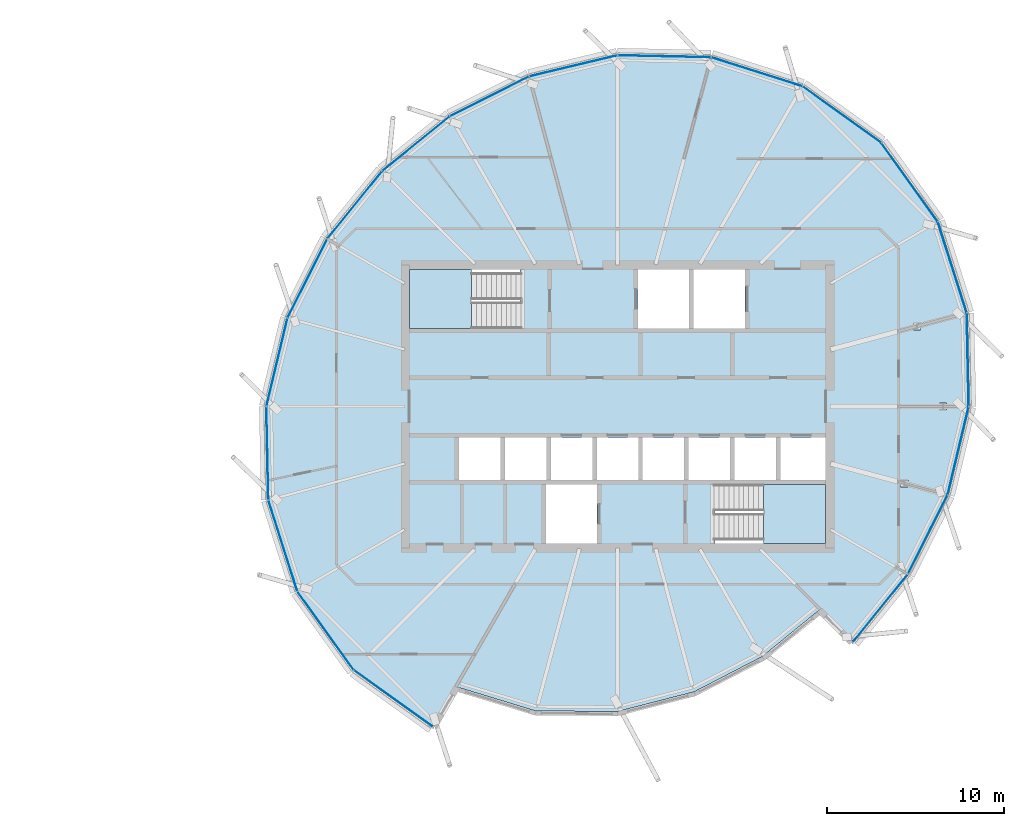
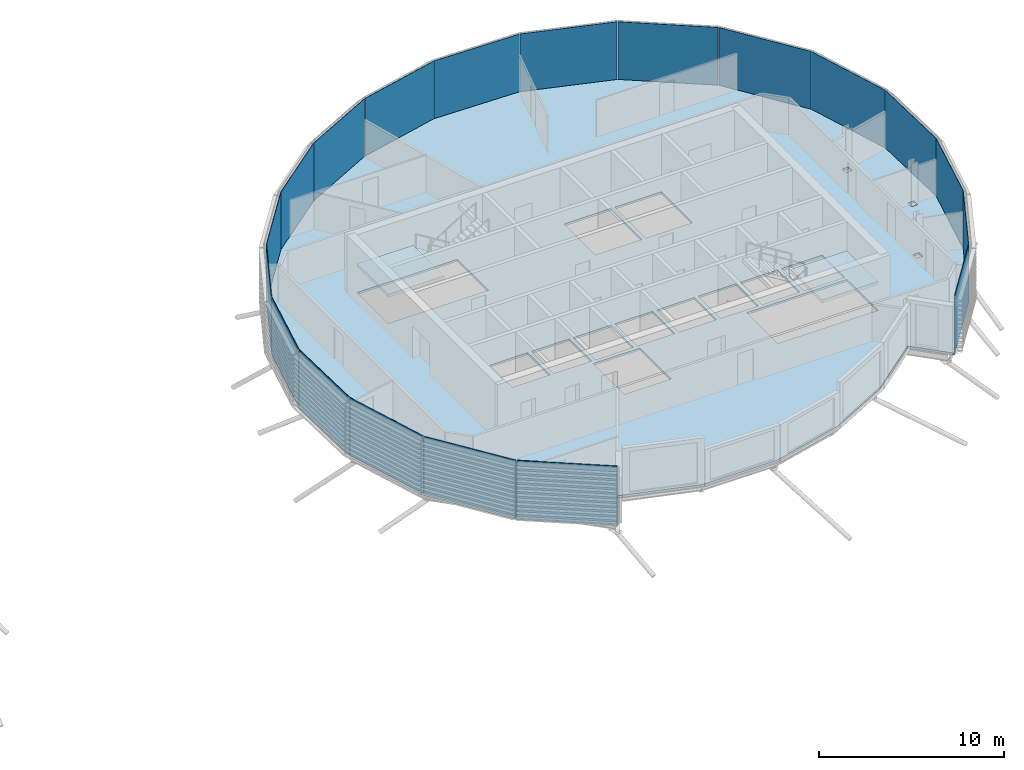
# One storey, part 16 of 38: 19 plates, 3 slabs, 3 elements without a shape of their own.
"""IFC4 building model written with IfcOpenShell, lengths in metres."""

import ifcopenshell
import ifcopenshell.guid

model = None  # the IFC model being written
_history = None  # IfcOwnerHistory: only IFC2X3 demands one
_inside = {}  # id of a spatial element -> (the spatial element, [elements in it])
_under = {}  # id of a project, library or spatial element -> (it, [spatial elements below it])
_declared = {}  # id of a project -> (the project, [libraries it declares])
_typed = {}  # id of a type object -> (the type object, [elements of that type])
_made_of = {}  # id of a material, layer set ... -> (it, [elements and type objects made of it])


def new_model(schema):
    """Start an empty IFC model of exactly this schema.

    Asked for "IFC4X3", IfcOpenShell would pick the latest addendum, in which some entities
    have other attributes; the version numbers below select the first issue.
    IFC2X3 requires an IfcOwnerHistory on every rooted entity: one is made here for all.
    """
    global model, _history
    if schema == "IFC4X3":
        model = ifcopenshell.file(schema_version=(4, 3, 0, 0))
    else:
        model = ifcopenshell.file(schema=schema)
    _inside.clear()
    _under.clear()
    _declared.clear()
    _typed.clear()
    _made_of.clear()
    _history = None
    if model.schema == "IFC2X3":
        org = make("IfcOrganization", Name="unknown")
        user = make(
            "IfcPersonAndOrganization",
            ThePerson=make("IfcPerson", FamilyName="unknown"),
            TheOrganization=org,
        )
        app = make(
            "IfcApplication",
            ApplicationDeveloper=org,
            Version="unknown",
            ApplicationFullName="unknown",
            ApplicationIdentifier="unknown",
        )
        _history = make(
            "IfcOwnerHistory",
            OwningUser=user,
            OwningApplication=app,
            ChangeAction="ADDED",
            CreationDate=0,
        )
    return model


def make(cls, **values):
    """One entity of the class cls with the attributes given. An attribute that is None is left unset."""
    return model.create_entity(
        cls, **{name: value for name, value in values.items() if value is not None}
    )


def rooted(cls, **values):
    """An entity with a GlobalId (a new one), such as an element, a storey or a relation."""
    return make(cls, GlobalId=ifcopenshell.guid.new(), OwnerHistory=_history, **values)


def si_unit(unit_type, name, prefix=None):
    """IfcSIUnit, for example si_unit("LENGTHUNIT", "METRE", prefix="MILLI")."""
    return make("IfcSIUnit", UnitType=unit_type, Prefix=prefix, Name=name)


def assignment(units):
    """IfcUnitAssignment: the units of a project."""
    return None if units is None else make("IfcUnitAssignment", Units=units)


def point(xyz):
    """IfcCartesianPoint."""
    return None if xyz is None else make("IfcCartesianPoint", Coordinates=xyz)


def direction(xyz):
    """IfcDirection."""
    return None if xyz is None else make("IfcDirection", DirectionRatios=xyz)


def frame(location, z_axis=None, x_axis=None):
    """IfcAxis2Placement3D, a coordinate frame: its origin and axes. An axis left out is left unset."""
    return make(
        "IfcAxis2Placement3D",
        Location=point(location),
        Axis=direction(z_axis),
        RefDirection=direction(x_axis),
    )


def frame_2d(location, x_axis=None):
    """IfcAxis2Placement2D, a coordinate frame in the plane: its origin and x axis."""
    return make(
        "IfcAxis2Placement2D", Location=point(location), RefDirection=direction(x_axis)
    )


def origin():
    """The frame at (0, 0, 0) with its axes left unset."""
    return frame((0.0, 0.0, 0.0))


def origin_2d():
    """The frame at (0, 0) in the plane with its x axis left unset."""
    return frame_2d((0.0, 0.0))


def place(relative_to, where):
    """IfcLocalPlacement: puts the frame where relative to a parent placement (None: the world)."""
    return make(
        "IfcLocalPlacement", PlacementRelTo=relative_to, RelativePlacement=where
    )


def context(
    kind, dimensions, precision=None, world=None, true_north=None, identifier=None
):
    """IfcGeometricRepresentationContext, for example the 3D "Model" context."""
    return make(
        "IfcGeometricRepresentationContext",
        ContextIdentifier=identifier,
        ContextType=kind,
        CoordinateSpaceDimension=dimensions,
        Precision=precision,
        WorldCoordinateSystem=world,
        TrueNorth=true_north,
    )


def subcontext(parent, identifier, kind, view, scale=None):
    """IfcGeometricRepresentationSubContext, for example "Body" below "Model"."""
    return make(
        "IfcGeometricRepresentationSubContext",
        ContextIdentifier=identifier,
        ContextType=kind,
        ParentContext=parent,
        TargetScale=scale,
        TargetView=view,
    )


def project(units=None, contexts=None):
    """IfcProject with its units and contexts."""
    return rooted(
        "IfcProject",
        Name="project",
        RepresentationContexts=contexts,
        UnitsInContext=assignment(units),
    )


def spatial(cls, under=None, at=None, **own):
    """A site, building, storey or space (cls), placed at a placement, below another one or the project."""
    s = rooted(cls, ObjectPlacement=at, **own)
    if under is not None:
        _under.setdefault(under.id(), (under, []))[1].append(s)
    return s


def polyline(points):
    """IfcPolyline through the points."""
    return make("IfcPolyline", Points=[point(p) for p in points])


def profile(cls, at=None, kind="AREA", **sizes):
    """A parametric profile (cls). Its sizes go by their IFC names, for example OverallWidth=200.0."""
    return make(cls, ProfileType=kind, Position=at, **sizes)


def rectangle(**sizes):
    """IfcRectangleProfileDef."""
    return profile("IfcRectangleProfileDef", **sizes)


def outline(outer, holes=None, kind="AREA"):
    """IfcArbitraryClosedProfileDef: a profile drawn as a closed curve; with holes, ...WithVoids."""
    if holes is None:
        return make("IfcArbitraryClosedProfileDef", ProfileType=kind, OuterCurve=outer)
    return make(
        "IfcArbitraryProfileDefWithVoids",
        ProfileType=kind,
        OuterCurve=outer,
        InnerCurves=holes,
    )


def extrude(swept, where, along, depth):
    """IfcExtrudedAreaSolid: the profile swept, set in the frame where, extruded along a direction by depth."""
    return make(
        "IfcExtrudedAreaSolid",
        SweptArea=swept,
        Position=where,
        ExtrudedDirection=direction(along),
        Depth=depth,
    )


def shape(context_of_items, identifier, shape_type, items):
    """IfcShapeRepresentation: the items that make up one representation, for example the "Body"."""
    return make(
        "IfcShapeRepresentation",
        ContextOfItems=context_of_items,
        RepresentationIdentifier=identifier,
        RepresentationType=shape_type,
        Items=items,
    )


def material(Name=None, Category=None):
    """IfcMaterial."""
    return make("IfcMaterial", Name=Name, Category=Category)


def layer(
    of_material, thickness, ventilated=None, Name=None, Category=None, Priority=None
):
    """IfcMaterialLayer: one layer of a wall or slab, of a material (None: an air gap)."""
    return make(
        "IfcMaterialLayer",
        Material=of_material,
        LayerThickness=thickness,
        IsVentilated=ventilated,
        Name=Name,
        Category=Category,
        Priority=Priority,
    )


def layer_set(layers, Name=None):
    """IfcMaterialLayerSet."""
    return make("IfcMaterialLayerSet", MaterialLayers=layers, LayerSetName=Name)


def made_of(thing, what):
    """Note that an element or type object is made of a material, layer set ...; save() writes the relation."""
    if what is not None:
        _made_of.setdefault(what.id(), (what, []))[1].append(thing)
    return thing


def type_object(cls, material=None, **own):
    """A type object (cls), such as IfcWallType, which elements share."""
    return made_of(rooted(cls, **own), material)


def element(
    cls,
    number,
    at=None,
    inside=None,
    cuts=None,
    type_object=None,
    material=None,
    context=None,
    identifier="Body",
    shape_type=None,
    held_by="IfcProductDefinitionShape",
    body=None,
    shapes=None,
    **own,
):
    """One element of the class cls, such as IfcWall. Its Tag is "e" and its number.

    at: its placement. inside: the storey or other place that contains it. cuts: it is an
    opening in that element (IfcRelVoidsElement). A single representation is given by context,
    identifier, shape_type and body (its items); several are given by shapes. held_by: the class
    of the entity that holds the representations. save() writes the other relations.
    """
    e = rooted(cls, Tag="e%d" % number, ObjectPlacement=at, **own)
    if body is not None:
        shapes = [shape(context, identifier, shape_type, body)]
    if shapes is not None:
        e.Representation = make(held_by, Representations=shapes)
    if inside is not None:
        _inside.setdefault(inside.id(), (inside, []))[1].append(e)
    if cuts is not None:
        rooted(
            "IfcRelVoidsElement", RelatingBuildingElement=cuts, RelatedOpeningElement=e
        )
    if type_object is not None:
        _typed.setdefault(type_object.id(), (type_object, []))[1].append(e)
    return made_of(e, material)


def aggregate(whole, parts):
    """IfcRelAggregates: a whole, such as a stair, and the parts it consists of."""
    return rooted("IfcRelAggregates", RelatingObject=whole, RelatedObjects=parts)


def save(model, path):
    """Write the relations noted so far, then the file.

    IfcRelAggregates (storeys below a building ...), IfcRelContainedInSpatialStructure (elements
    in a storey), IfcRelDefinesByType, IfcRelAssociatesMaterial and IfcRelDeclares: one each for
    every whole, place, type object, material and project.
    """
    for whole, parts in _under.values():
        aggregate(whole, parts)
    for where, things in _inside.values():
        rooted(
            "IfcRelContainedInSpatialStructure",
            RelatedElements=things,
            RelatingStructure=where,
        )
    for kind, things in _typed.values():
        rooted("IfcRelDefinesByType", RelatedObjects=things, RelatingType=kind)
    for what, things in _made_of.values():
        rooted("IfcRelAssociatesMaterial", RelatedObjects=things, RelatingMaterial=what)
    for by, libraries in _declared.values():
        rooted("IfcRelDeclares", RelatingContext=by, RelatedDefinitions=libraries)
    model.write(path)


model = new_model("IFC4")

# Units and contexts
model_context = context("Model", 3, precision=1e-05, world=origin(), true_north=direction((0.0, 1.0)))
body_context = subcontext(model_context, "Body", "Model", "MODEL_VIEW")
ifc_project = project(units=[si_unit("LENGTHUNIT", "METRE"), si_unit("AREAUNIT", "SQUARE_METRE"), si_unit("VOLUMEUNIT", "CUBIC_METRE"), si_unit("PLANEANGLEUNIT", "RADIAN"), si_unit("MASSUNIT", "GRAM", prefix="KILO")], contexts=[model_context])

# Site, building, storey
site_placement = place(None, origin())
site = spatial("IfcSite", under=ifc_project, at=site_placement, CompositionType="ELEMENT")
building_placement = place(site_placement, origin())
building = spatial("IfcBuilding", under=site, at=building_placement, Name="Rimbun Link Towers", CompositionType="ELEMENT")
storey_placement = place(building_placement, frame((0.0, 0.0, 218.10009765625)))
storey = spatial("IfcBuildingStorey", under=building, at=storey_placement, Name="L53", CompositionType="ELEMENT", Elevation=218.10009765625)

# Slab
ifc_material_1 = material(Name="Concrete C35/45", Category="concrete")
ifc_layer_1 = layer(ifc_material_1, 0.139892578125)
ifc_layer_set_1 = layer_set([ifc_layer_1], Name="COMPOSITE FLOOR 140")
slab_type_1 = type_object("IfcSlabType", Name="COMPOSITE FLOOR 140", PredefinedType="FLOOR", material=ifc_layer_set_1)
slab_1_placement = place(storey_placement, frame((0.0, 0.0, -0.14013671875)))
element("IfcSlab", 1, at=slab_1_placement, inside=storey, type_object=slab_type_1, Name="Floor slab T2 L53", PredefinedType="FLOOR", context=body_context, shape_type="SweptSolid", body=[
    extrude(outline(polyline([(16.858154296875, -14.891845703125), (13.664794921875, -10.44140625), (12.02490234375, -5.285400390625), (11.913818359375, 0.0), (13.1083984375, 4.9951171875), (15.353759765625, 9.46630859375), (18.453857421875, 13.296142578125), (22.28369140625, 16.396240234375), (26.7548828125, 18.6416015625), (31.75, 19.836181640625), (37.035400390625, 19.72509765625), (42.19140625, 18.085205078125), (46.641845703125, 14.891845703125), (49.835205078125, 10.44140625), (51.47509765625, 5.285400390625), (51.586181640625, 0.0), (50.3916015625, -4.9951171875), (48.146240234375, -9.46630859375), (45.046142578125, -13.296142578125), (43.207763671875, -11.457763671875), (39.91650390625, -14.14453125), (36.072021484375, -16.13037109375), (31.75, -17.236328125), (27.1376953125, -17.213623046875), (22.6083984375, -15.83349609375), (21.30859375, -18.085205078125), (16.858154296875, -14.891845703125)]), holes=[polyline([(30.60009765625, -7.75), (30.60009765625, -4.39990234375), (27.699951171875, -4.39990234375), (27.699951171875, -7.75), (30.60009765625, -7.75)]), polyline([(25.138916015625, -4.14990234375), (25.138916015625, -1.75), (22.79443359375, -1.75), (22.79443359375, -4.14990234375), (25.138916015625, -4.14990234375)]), polyline([(27.7333984375, -4.14990234375), (27.7333984375, -1.75), (25.388916015625, -1.75), (25.388916015625, -4.14990234375), (27.7333984375, -4.14990234375)]), polyline([(30.327880859375, -4.14990234375), (30.327880859375, -1.75), (27.9833984375, -1.75), (27.9833984375, -4.14990234375), (30.327880859375, -4.14990234375)]), polyline([(32.922119140625, -4.14990234375), (32.922119140625, -1.75), (30.577880859375, -1.75), (30.577880859375, -4.14990234375), (32.922119140625, -4.14990234375)]), polyline([(35.5166015625, -4.14990234375), (35.5166015625, -1.75), (33.172119140625, -1.75), (33.172119140625, -4.14990234375), (35.5166015625, -4.14990234375)]), polyline([(26.239990234375, 4.39990234375), (26.239990234375, 7.75), (20.0, 7.75), (20.0, 4.39990234375), (26.239990234375, 4.39990234375)]), polyline([(35.800048828125, 4.39990234375), (35.800048828125, 7.75), (32.89990234375, 7.75), (32.89990234375, 4.39990234375), (35.800048828125, 4.39990234375)]), polyline([(43.5, -7.75), (43.5, -4.39990234375), (37.260009765625, -4.39990234375), (37.260009765625, -7.75), (43.5, -7.75)]), polyline([(48.1552734375, -4.5390625), (48.1552734375, -4.1455078125), (47.75634765625, -4.1455078125), (47.75634765625, -4.5390625), (48.1552734375, -4.5390625)]), polyline([(38.111083984375, -4.14990234375), (38.111083984375, -1.75), (35.7666015625, -1.75), (35.7666015625, -4.14990234375), (38.111083984375, -4.14990234375)]), polyline([(40.70556640625, -4.14990234375), (40.70556640625, -1.75), (38.361083984375, -1.75), (38.361083984375, -4.14990234375), (40.70556640625, -4.14990234375)]), polyline([(43.5, -4.14990234375), (43.5, -1.75), (40.95556640625, -1.75), (40.95556640625, -4.14990234375), (43.5, -4.14990234375)]), polyline([(50.34033203125, -0.19677734375), (50.34033203125, 0.19677734375), (49.94140625, 0.19677734375), (49.94140625, -0.19677734375), (50.34033203125, -0.19677734375)]), polyline([(48.868896484375, 4.336669921875), (48.868896484375, 4.730224609375), (48.4697265625, 4.730224609375), (48.4697265625, 4.336669921875), (48.868896484375, 4.336669921875)]), polyline([(38.949951171875, 4.39990234375), (38.949951171875, 7.75), (36.050048828125, 7.75), (36.050048828125, 4.39990234375), (38.949951171875, 4.39990234375)])]), origin(), (0.0, 0.0, 1.0), 0.14013671875),
])

# Curtain wall, plates
ifc_material_2 = material(Name="Aluminium 6063-T6 and low-iron glass", Category="aluminium")
curtain_wall_type = type_object("IfcCurtainWallType", Name="CW1-Z4 unitised vision wall (zone 4)", PredefinedType="NOTDEFINED", material=ifc_material_2)
curtain_wall_placement = place(storey_placement, origin())
curtain_wall = element("IfcCurtainWall", 2, at=curtain_wall_placement, inside=storey, type_object=curtain_wall_type, Name="CW1 L53 T2", PredefinedType="NOTDEFINED")
ifc_material_3 = material(Name="Low-iron glass, laminated low-e unit", Category="glass")
ifc_layer_2 = layer(ifc_material_3, 0.028076171875)
ifc_layer_set_2 = layer_set([ifc_layer_2], Name="CW1 panel Low-iron glass 28")
plate_type = type_object("IfcPlateType", Name="CW1 panel Low-iron glass 28", PredefinedType="CURTAIN_PANEL", material=ifc_layer_set_2)
plate_1_placement = place(storey_placement, frame((44.4248046875, 16.499755859375, 0.0), z_axis=(0.0, 0.0, 1.0), x_axis=(0.812469633551, -0.583003511617, 0.0)))
plate_1 = element("IfcPlate", 3, at=plate_1_placement, type_object=plate_type, Name="CW1 panel", PredefinedType="CURTAIN_PANEL", context=body_context, shape_type="SweptSolid", body=[
    extrude(rectangle(XDim=5.4375, YDim=0.028076171875, at=origin_2d()), origin(), (0.0, 0.0, 1.0), 3.800048828125),
])
plate_2_placement = place(storey_placement, frame((39.61767578125, 18.91845703125, 0.0), z_axis=(0.0, 0.0, 1.0), x_axis=(0.952968975919, -0.30306786523, 0.0)))
plate_2 = element("IfcPlate", 4, at=plate_2_placement, type_object=plate_type, Name="CW1 panel", PredefinedType="CURTAIN_PANEL", context=body_context, shape_type="SweptSolid", body=[
    extrude(rectangle(XDim=5.37060546875, YDim=0.028076171875, at=origin_2d()), origin(), (0.0, 0.0, 1.0), 3.800048828125),
])
plate_3_placement = place(storey_placement, frame((34.39306640625, 19.794677734375, 0.0), z_axis=(0.0, 0.0, 1.0), x_axis=(0.999778345459, -0.021053739591, 0.0)))
plate_3 = element("IfcPlate", 5, at=plate_3_placement, type_object=plate_type, Name="CW1 panel", PredefinedType="CURTAIN_PANEL", context=body_context, shape_type="SweptSolid", body=[
    extrude(rectangle(XDim=5.24658203125, YDim=0.028076171875, at=origin_2d()), origin(), (0.0, 0.0, 1.0), 3.800048828125),
])
plate_4_placement = place(storey_placement, frame((29.249267578125, 19.252685546875, 0.0), z_axis=(0.0, 0.0, 1.0), x_axis=(0.972572572168, 0.232599638579, 0.0)))
plate_4 = element("IfcPlate", 6, at=plate_4_placement, type_object=plate_type, Name="CW1 panel", PredefinedType="CURTAIN_PANEL", context=body_context, shape_type="SweptSolid", body=[
    extrude(rectangle(XDim=5.095947265625, YDim=0.028076171875, at=origin_2d()), origin(), (0.0, 0.0, 1.0), 3.800048828125),
])
plate_5_placement = place(storey_placement, frame((24.512939453125, 17.531494140625, 0.0), z_axis=(0.0, 0.0, 1.0), x_axis=(0.893650392723, 0.448763830524, 0.0)))
plate_5 = element("IfcPlate", 7, at=plate_5_placement, type_object=plate_type, Name="CW1 panel", PredefinedType="CURTAIN_PANEL", context=body_context, shape_type="SweptSolid", body=[
    extrude(rectangle(XDim=4.963623046875, YDim=0.028076171875, at=origin_2d()), origin(), (0.0, 0.0, 1.0), 3.800048828125),
])
plate_6_placement = place(storey_placement, frame((20.35986328125, 14.857177734375, 0.0), z_axis=(0.0, 0.0, 1.0), x_axis=(0.777266138538, 0.629171955734, 0.0)))
plate_6 = element("IfcPlate", 8, at=plate_6_placement, type_object=plate_type, Name="CW1 panel", PredefinedType="CURTAIN_PANEL", context=body_context, shape_type="SweptSolid", body=[
    extrude(rectangle(XDim=4.88720703125, YDim=0.028076171875, at=origin_2d()), origin(), (0.0, 0.0, 1.0), 3.800048828125),
])
plate_7_placement = place(storey_placement, frame((16.892822265625, 11.39013671875, 0.0), z_axis=(0.0, 0.0, 1.0), x_axis=(0.629171955734, 0.777266138538, 0.0)))
plate_7 = element("IfcPlate", 9, at=plate_7_placement, type_object=plate_type, Name="CW1 panel", PredefinedType="CURTAIN_PANEL", context=body_context, shape_type="SweptSolid", body=[
    extrude(rectangle(XDim=4.88720703125, YDim=0.028076171875, at=origin_2d()), origin(), (0.0, 0.0, 1.0), 3.800048828125),
])
plate_8_placement = place(storey_placement, frame((14.218505859375, 7.237060546875, 0.0), z_axis=(0.0, 0.0, 1.0), x_axis=(0.448763830524, 0.893650392723, 0.0)))
plate_8 = element("IfcPlate", 10, at=plate_8_placement, type_object=plate_type, Name="CW1 panel", PredefinedType="CURTAIN_PANEL", context=body_context, shape_type="SweptSolid", body=[
    extrude(rectangle(XDim=4.963623046875, YDim=0.028076171875, at=origin_2d()), origin(), (0.0, 0.0, 1.0), 3.800048828125),
])
plate_9_placement = place(storey_placement, frame((12.497314453125, 2.500732421875, 0.0), z_axis=(0.0, 0.0, 1.0), x_axis=(0.232599638579, 0.972572572168, 0.0)))
plate_9 = element("IfcPlate", 11, at=plate_9_placement, type_object=plate_type, Name="CW1 panel", PredefinedType="CURTAIN_PANEL", context=body_context, shape_type="SweptSolid", body=[
    extrude(rectangle(XDim=5.095947265625, YDim=0.028076171875, at=origin_2d()), origin(), (0.0, 0.0, 1.0), 3.800048828125),
])
plate_10_placement = place(storey_placement, frame((11.955322265625, -2.64306640625, 0.0), z_axis=(0.0, 0.0, 1.0), x_axis=(-0.021053739591, 0.999778345459, 0.0)))
plate_10 = element("IfcPlate", 12, at=plate_10_placement, type_object=plate_type, Name="CW1 panel", PredefinedType="CURTAIN_PANEL", context=body_context, shape_type="SweptSolid", body=[
    extrude(rectangle(XDim=5.24658203125, YDim=0.028076171875, at=origin_2d()), origin(), (0.0, 0.0, 1.0), 3.800048828125),
])
plate_11_placement = place(storey_placement, frame((12.83154296875, -7.86767578125, 0.0), z_axis=(0.0, 0.0, 1.0), x_axis=(-0.30306786523, 0.952968975919, 0.0)))
plate_11 = element("IfcPlate", 13, at=plate_11_placement, type_object=plate_type, Name="CW1 panel", PredefinedType="CURTAIN_PANEL", context=body_context, shape_type="SweptSolid", body=[
    extrude(rectangle(XDim=5.37060546875, YDim=0.028076171875, at=origin_2d()), origin(), (0.0, 0.0, 1.0), 3.800048828125),
])
plate_12_placement = place(storey_placement, frame((15.250244140625, -12.6748046875, 0.0), z_axis=(0.0, 0.0, 1.0), x_axis=(-0.583003511617, 0.812469633551, 0.0)))
plate_12 = element("IfcPlate", 14, at=plate_12_placement, type_object=plate_type, Name="CW1 panel", PredefinedType="CURTAIN_PANEL", context=body_context, shape_type="SweptSolid", body=[
    extrude(rectangle(XDim=5.4375, YDim=0.028076171875, at=origin_2d()), origin(), (0.0, 0.0, 1.0), 3.800048828125),
])
plate_13_placement = place(storey_placement, frame((19.0751953125, -16.499755859375, 0.0), z_axis=(0.0, 0.0, 1.0), x_axis=(-0.812469633551, 0.583003511617, 0.0)))
plate_13 = element("IfcPlate", 15, at=plate_13_placement, type_object=plate_type, Name="CW1 panel", PredefinedType="CURTAIN_PANEL", context=body_context, shape_type="SweptSolid", body=[
    extrude(rectangle(XDim=5.4375, YDim=0.028076171875, at=origin_2d()), origin(), (0.0, 0.0, 1.0), 3.800048828125),
])
plate_14_placement = place(storey_placement, frame((46.607177734375, -11.39013671875, 0.0), z_axis=(0.0, 0.0, 1.0), x_axis=(-0.629171955734, -0.777266138538, 0.0)))
plate_14 = element("IfcPlate", 16, at=plate_14_placement, type_object=plate_type, Name="CW1 panel", PredefinedType="CURTAIN_PANEL", context=body_context, shape_type="SweptSolid", body=[
    extrude(rectangle(XDim=4.88720703125, YDim=0.028076171875, at=origin_2d()), origin(), (0.0, 0.0, 1.0), 3.800048828125),
])
plate_15_placement = place(storey_placement, frame((49.281494140625, -7.237060546875, 0.0), z_axis=(0.0, 0.0, 1.0), x_axis=(-0.448763830524, -0.893650392723, 0.0)))
plate_15 = element("IfcPlate", 17, at=plate_15_placement, type_object=plate_type, Name="CW1 panel", PredefinedType="CURTAIN_PANEL", context=body_context, shape_type="SweptSolid", body=[
    extrude(rectangle(XDim=4.963623046875, YDim=0.028076171875, at=origin_2d()), origin(), (0.0, 0.0, 1.0), 3.800048828125),
])
plate_16_placement = place(storey_placement, frame((51.002685546875, -2.500732421875, 0.0), z_axis=(0.0, 0.0, 1.0), x_axis=(-0.232599638579, -0.972572572168, 0.0)))
plate_16 = element("IfcPlate", 18, at=plate_16_placement, type_object=plate_type, Name="CW1 panel", PredefinedType="CURTAIN_PANEL", context=body_context, shape_type="SweptSolid", body=[
    extrude(rectangle(XDim=5.095947265625, YDim=0.028076171875, at=origin_2d()), origin(), (0.0, 0.0, 1.0), 3.800048828125),
])
plate_17_placement = place(storey_placement, frame((51.544677734375, 2.64306640625, 0.0), z_axis=(0.0, 0.0, 1.0), x_axis=(0.021053739591, -0.999778345459, 0.0)))
plate_17 = element("IfcPlate", 19, at=plate_17_placement, type_object=plate_type, Name="CW1 panel", PredefinedType="CURTAIN_PANEL", context=body_context, shape_type="SweptSolid", body=[
    extrude(rectangle(XDim=5.24658203125, YDim=0.028076171875, at=origin_2d()), origin(), (0.0, 0.0, 1.0), 3.800048828125),
])
plate_18_placement = place(storey_placement, frame((50.66845703125, 7.86767578125, 0.0), z_axis=(0.0, 0.0, 1.0), x_axis=(0.30306786523, -0.952968975919, 0.0)))
plate_18 = element("IfcPlate", 20, at=plate_18_placement, type_object=plate_type, Name="CW1 panel", PredefinedType="CURTAIN_PANEL", context=body_context, shape_type="SweptSolid", body=[
    extrude(rectangle(XDim=5.37060546875, YDim=0.028076171875, at=origin_2d()), origin(), (0.0, 0.0, 1.0), 3.800048828125),
])
plate_19_placement = place(storey_placement, frame((48.249755859375, 12.6748046875, 0.0), z_axis=(0.0, 0.0, 1.0), x_axis=(0.583003511617, -0.812469633551, 0.0)))
plate_19 = element("IfcPlate", 21, at=plate_19_placement, type_object=plate_type, Name="CW1 panel", PredefinedType="CURTAIN_PANEL", context=body_context, shape_type="SweptSolid", body=[
    extrude(rectangle(XDim=5.4375, YDim=0.028076171875, at=origin_2d()), origin(), (0.0, 0.0, 1.0), 3.800048828125),
])
aggregate(curtain_wall, [plate_1, plate_2, plate_3, plate_4, plate_5, plate_6, plate_7, plate_8, plate_9, plate_10, plate_11, plate_12, plate_13, plate_14, plate_15, plate_16, plate_17, plate_18, plate_19])

# Stair, slab
ifc_material_4 = material(Name="Concrete C40/50", Category="concrete")
stair_type = type_object("IfcStairType", Name="Exit stair 3800 rise", PredefinedType="HALF_TURN_STAIR", material=ifc_material_4)
stair_1_placement = place(storey_placement, origin())
stair_1 = element("IfcStair", 22, at=stair_1_placement, inside=storey, type_object=stair_type, Name="L53 EXIT STAIR A", PredefinedType="HALF_TURN_STAIR")
ifc_material_5 = material(Name="Concrete C40/50", Category="concrete")
ifc_layer_3 = layer(ifc_material_5, 0.199951171875)
ifc_layer_set_3 = layer_set([ifc_layer_3], Name="Stair landing")
slab_type_2 = type_object("IfcSlabType", Name="Stair landing", PredefinedType="LANDING", material=ifc_layer_set_3)
slab_2_placement = place(storey_placement, frame((0.0, 0.0, 1.699951171875)))
slab_2 = element("IfcSlab", 23, at=slab_2_placement, type_object=slab_type_2, Name="ST3 landing 1", PredefinedType="LANDING", context=body_context, shape_type="SweptSolid", body=[
    extrude(outline(polyline([(23.5, 7.75), (20.0, 7.75), (20.0, 4.39990234375), (23.5, 4.39990234375), (23.5, 7.75)])), origin(), (0.0, 0.0, 1.0), 0.199951171875),
])
aggregate(stair_1, [slab_2])

stair_2_placement = place(storey_placement, origin())
stair_2 = element("IfcStair", 24, at=stair_2_placement, inside=storey, type_object=stair_type, Name="L53 EXIT STAIR B", PredefinedType="HALF_TURN_STAIR")
slab_3_placement = place(storey_placement, frame((0.0, 0.0, 1.699951171875)))
slab_3 = element("IfcSlab", 25, at=slab_3_placement, type_object=slab_type_2, Name="ST4 landing 1", PredefinedType="LANDING", context=body_context, shape_type="SweptSolid", body=[
    extrude(outline(polyline([(40.0, -7.75), (43.5, -7.75), (43.5, -4.39990234375), (40.0, -4.39990234375), (40.0, -7.75)])), origin(), (0.0, 0.0, 1.0), 0.199951171875),
])
aggregate(stair_2, [slab_3])

save(model, "model.ifc")
